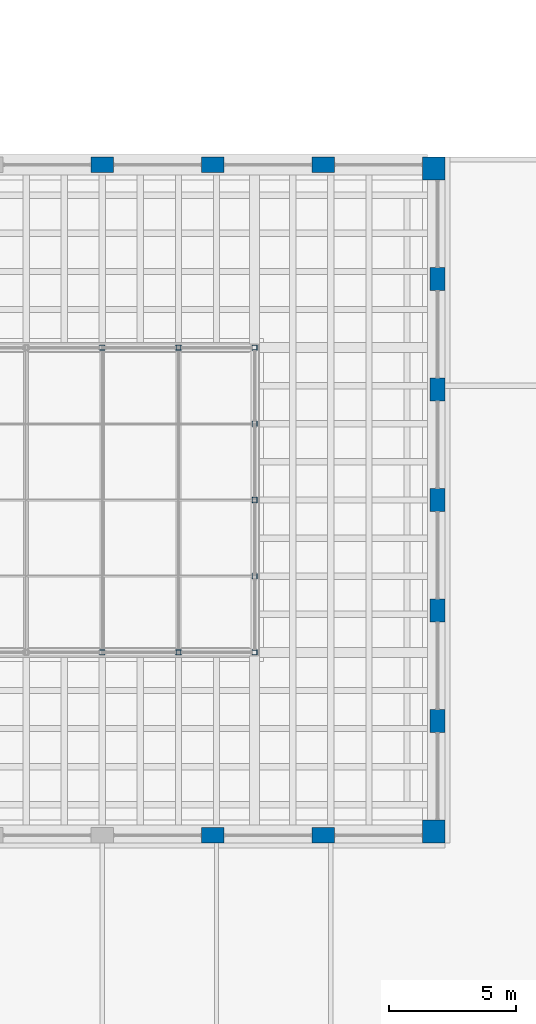
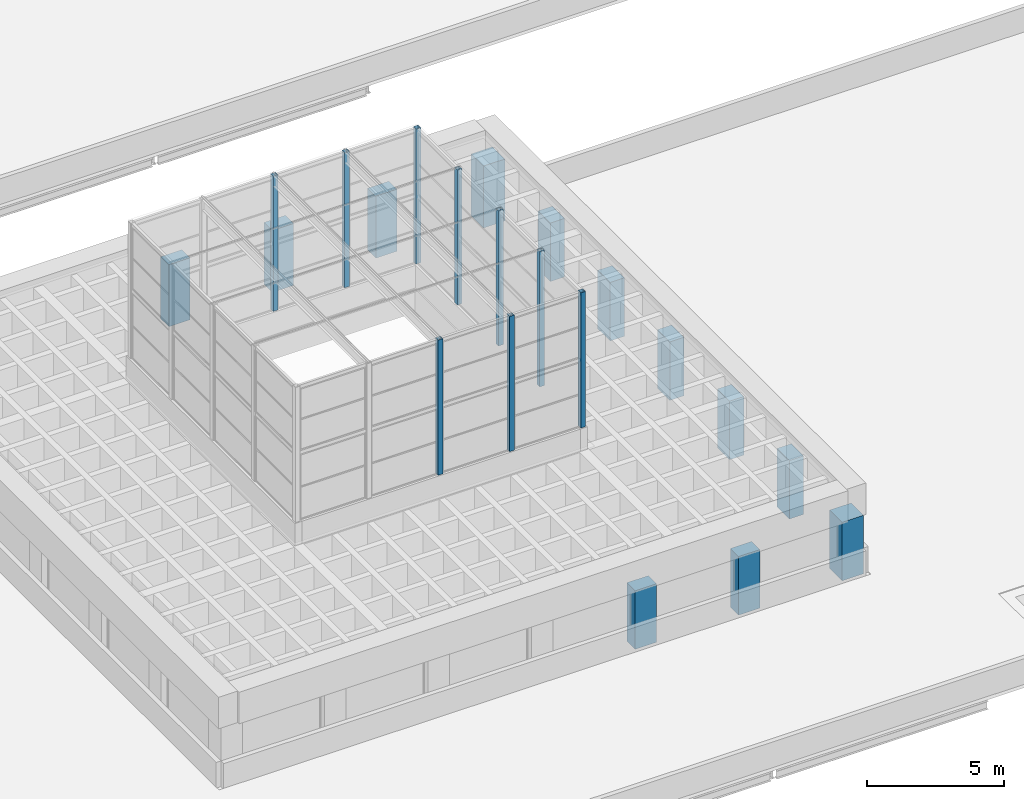
# One storey, part 4 of 50: 21 columns.
"""IFC4 building model written with IfcOpenShell, lengths in metres."""

from ifc_helpers import new_model, si_unit, direction, frame, origin, origin_2d, place, context, subcontext, project, spatial, rectangle, hollow_rectangle, extrude, material, material_profile, profile_set, type_object, element, save


model = new_model("IFC4")

# Units and contexts
model_context = context("Model", 3, precision=1e-05, world=origin(), true_north=direction((0.0, 1.0)))
body_context = subcontext(model_context, "Body", "Model", "MODEL_VIEW")
ifc_project = project(units=[si_unit("LENGTHUNIT", "METRE"), si_unit("AREAUNIT", "SQUARE_METRE"), si_unit("VOLUMEUNIT", "CUBIC_METRE"), si_unit("PLANEANGLEUNIT", "RADIAN"), si_unit("MASSUNIT", "GRAM", prefix="KILO")], contexts=[model_context])

# Site, building, storey
site_placement = place(None, origin())
site = spatial("IfcSite", under=ifc_project, at=site_placement, CompositionType="ELEMENT")
building_placement = place(site_placement, origin())
building = spatial("IfcBuilding", under=site, at=building_placement, Name="Corbel Yard City Hall", CompositionType="ELEMENT")
storey_placement = place(building_placement, frame((0.0, 0.0, 15.0)))
storey = spatial("IfcBuildingStorey", under=building, at=storey_placement, Name="L03", CompositionType="ELEMENT", Elevation=15.0)

# Columns
ifc_material_1 = material(Name="Concrete N50 (50 MPa)", Category="concrete")
ifc_material_profile_1 = material_profile(ifc_material_1, rectangle(XDim=0.89990234375, YDim=0.89990234375, at=origin_2d()), Name="900x900")
ifc_profile_set_1 = profile_set([ifc_material_profile_1], Name="Concrete N50 (50 MPa)")
column_type_1 = type_object("IfcColumnType", Name="Drum corner pier RC 900X900", PredefinedType="COLUMN", material=ifc_profile_set_1)
column_1_placement = place(storey_placement, frame((143.550048828125, 54.449951171875, 0.0), z_axis=(0.0, 0.0, 1.0), x_axis=(1.0, 0.0, 0.0)))
element("IfcColumn", 1, at=column_1_placement, inside=storey, type_object=column_type_1, Name="Chamber drum pier RC 900X900 DP1", PredefinedType="COLUMN", context=body_context, shape_type="SweptSolid", body=[
    extrude(rectangle(XDim=0.89990234375, YDim=0.89990234375, at=origin_2d()), origin(), (0.0, 0.0, 1.0), 2.60009765625),
])
column_2_placement = place(storey_placement, frame((143.550048828125, 80.550048828125, -0.14990234375), z_axis=(0.0, 0.0, 1.0), x_axis=(1.0, 0.0, 0.0)))
element("IfcColumn", 2, at=column_2_placement, inside=storey, type_object=column_type_1, Name="Chamber drum pier RC 900X900 DP1", PredefinedType="COLUMN", context=body_context, shape_type="SweptSolid", body=[
    extrude(rectangle(XDim=0.89990234375, YDim=0.89990234375, at=origin_2d()), origin(), (0.0, 0.0, 1.0), 2.75),
])
ifc_material_profile_2 = material_profile(ifc_material_1, rectangle(XDim=0.60009765625, YDim=0.89990234375, at=origin_2d()), Name="600x900")
ifc_profile_set_2 = profile_set([ifc_material_profile_2], Name="Concrete N50 (50 MPa)")
column_type_2 = type_object("IfcColumnType", Name="Drum pier RC 600X900", PredefinedType="COLUMN", material=ifc_profile_set_2)
column_3_placement = place(storey_placement, frame((130.5, 80.699951171875, -0.14990234375), z_axis=(0.0, 0.0, 1.0), x_axis=(0.0, 1.0, 0.0)))
element("IfcColumn", 3, at=column_3_placement, inside=storey, type_object=column_type_2, Name="Chamber drum pier RC 600X900 DP2", PredefinedType="COLUMN", context=body_context, shape_type="SweptSolid", body=[
    extrude(rectangle(XDim=0.60009765625, YDim=0.89990234375, at=origin_2d()), origin(), (0.0, 0.0, 1.0), 2.75),
])
column_4_placement = place(storey_placement, frame((134.85009765625, 54.300048828125, 0.0), z_axis=(0.0, 0.0, 1.0), x_axis=(0.0, 1.0, 0.0)))
element("IfcColumn", 4, at=column_4_placement, inside=storey, type_object=column_type_2, Name="Chamber drum pier RC 600X900 DP2", PredefinedType="COLUMN", context=body_context, shape_type="SweptSolid", body=[
    extrude(rectangle(XDim=0.60009765625, YDim=0.89990234375, at=origin_2d()), origin(), (0.0, 0.0, 1.0), 2.60009765625),
])
column_5_placement = place(storey_placement, frame((134.85009765625, 80.699951171875, -0.14990234375), z_axis=(0.0, 0.0, 1.0), x_axis=(0.0, 1.0, 0.0)))
element("IfcColumn", 5, at=column_5_placement, inside=storey, type_object=column_type_2, Name="Chamber drum pier RC 600X900 DP2", PredefinedType="COLUMN", context=body_context, shape_type="SweptSolid", body=[
    extrude(rectangle(XDim=0.60009765625, YDim=0.89990234375, at=origin_2d()), origin(), (0.0, 0.0, 1.0), 2.75),
])
column_6_placement = place(storey_placement, frame((139.199951171875, 54.300048828125, 0.0), z_axis=(0.0, 0.0, 1.0), x_axis=(0.0, 1.0, 0.0)))
element("IfcColumn", 6, at=column_6_placement, inside=storey, type_object=column_type_2, Name="Chamber drum pier RC 600X900 DP2", PredefinedType="COLUMN", context=body_context, shape_type="SweptSolid", body=[
    extrude(rectangle(XDim=0.60009765625, YDim=0.89990234375, at=origin_2d()), origin(), (0.0, 0.0, 1.0), 2.60009765625),
])
column_7_placement = place(storey_placement, frame((139.199951171875, 80.699951171875, -0.14990234375), z_axis=(0.0, 0.0, 1.0), x_axis=(0.0, 1.0, 0.0)))
element("IfcColumn", 7, at=column_7_placement, inside=storey, type_object=column_type_2, Name="Chamber drum pier RC 600X900 DP2", PredefinedType="COLUMN", context=body_context, shape_type="SweptSolid", body=[
    extrude(rectangle(XDim=0.60009765625, YDim=0.89990234375, at=origin_2d()), origin(), (0.0, 0.0, 1.0), 2.75),
])
for number, where, z_axis, x_axis, name in (
    (8, (143.699951171875, 58.800048828125, 0.0), (0.0, 0.0, 1.0), (1.0, 0.0, 0.0), "Chamber drum pier RC 600X900 DP2"),
    (9, (143.699951171875, 63.14990234375, 0.0), (0.0, 0.0, 1.0), (1.0, 0.0, 0.0), "Chamber drum pier RC 600X900 DP2"),
    (10, (143.699951171875, 67.5, 0.0), (0.0, 0.0, 1.0), (1.0, 0.0, 0.0), "Chamber drum pier RC 600X900 DP2"),
    (11, (143.699951171875, 71.85009765625, 0.0), (0.0, 0.0, 1.0), (1.0, 0.0, 0.0), "Chamber drum pier RC 600X900 DP2"),
    (12, (143.699951171875, 76.199951171875, 0.0), (0.0, 0.0, 1.0), (1.0, 0.0, 0.0), "Chamber drum pier RC 600X900 DP2"),
):
    element("IfcColumn", number, at=place(storey_placement, frame(where, z_axis=z_axis, x_axis=x_axis)), inside=storey, type_object=column_type_2, Name=name, PredefinedType="COLUMN", context=body_context, shape_type="SweptSolid", body=[
        extrude(rectangle(XDim=0.60009765625, YDim=0.89990234375, at=origin_2d()), origin(), (0.0, 0.0, 1.0), 2.60009765625),
    ])
ifc_material_2 = material(Name="Steel Grade C450L0", Category="steel")
ifc_material_profile_3 = material_profile(ifc_material_2, hollow_rectangle(XDim=0.199951171875, YDim=0.199951171875, WallThickness=0.009033203125, at=origin_2d()), Name="200x200x9.0SHS")
ifc_profile_set_3 = profile_set([ifc_material_profile_3], Name="Steel Grade C450L0")
column_type_3 = type_object("IfcColumnType", Name="Lantern column 200x200x9.0SHS", PredefinedType="COLUMN", material=ifc_profile_set_3)
for number, where, z_axis, x_axis, name in (
    (13, (130.5, 61.5, 4.64990234375), (0.0, 0.0, 1.0), (1.0, 0.0, 0.0), "Lantern column 200x200x9.0SHS SC9"),
    (14, (130.5, 73.5, 4.64990234375), (0.0, 0.0, 1.0), (1.0, 0.0, 0.0), "Lantern column 200x200x9.0SHS SC9"),
    (15, (133.5, 61.5, 4.64990234375), (0.0, 0.0, 1.0), (1.0, 0.0, 0.0), "Lantern column 200x200x9.0SHS SC9"),
    (16, (133.5, 73.5, 4.64990234375), (0.0, 0.0, 1.0), (1.0, 0.0, 0.0), "Lantern column 200x200x9.0SHS SC9"),
    (17, (136.5, 61.5, 4.64990234375), (0.0, 0.0, 1.0), (1.0, 0.0, 0.0), "Lantern column 200x200x9.0SHS SC9"),
    (18, (136.5, 73.5, 4.64990234375), (0.0, 0.0, 1.0), (1.0, 0.0, 0.0), "Lantern column 200x200x9.0SHS SC9"),
    (19, (136.5, 64.5, 4.64990234375), (0.0, 0.0, 1.0), (1.0, 0.0, 0.0), "Lantern column 200x200x9.0SHS SC9"),
    (20, (136.5, 67.5, 4.64990234375), (0.0, 0.0, 1.0), (1.0, 0.0, 0.0), "Lantern column 200x200x9.0SHS SC9"),
    (21, (136.5, 70.5, 4.64990234375), (0.0, 0.0, 1.0), (1.0, 0.0, 0.0), "Lantern column 200x200x9.0SHS SC9"),
):
    element("IfcColumn", number, at=place(storey_placement, frame(where, z_axis=z_axis, x_axis=x_axis)), inside=storey, type_object=column_type_3, Name=name, PredefinedType="COLUMN", context=body_context, shape_type="SweptSolid", body=[
        extrude(hollow_rectangle(XDim=0.199951171875, YDim=0.199951171875, WallThickness=0.009033203125, at=origin_2d()), origin(), (0.0, 0.0, 1.0), 6.0),
    ])

save(model, "model.ifc")
